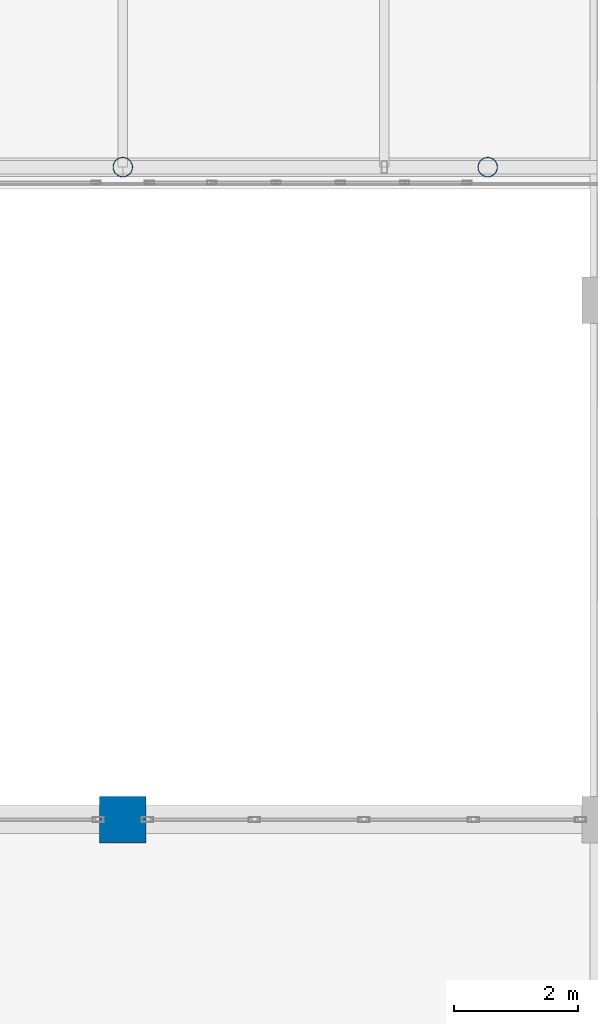
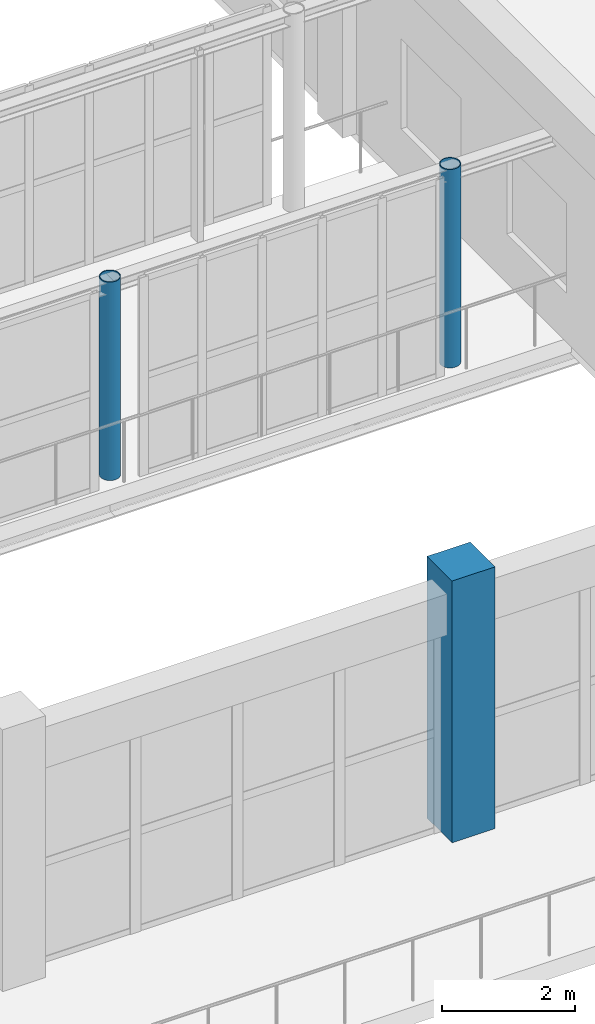
# One storey, part 3 of 175: 3 columns.
"""IFC4 building model written with IfcOpenShell, lengths in metres."""

from ifc_helpers import new_model, si_unit, direction, frame, origin, origin_2d, place, context, subcontext, project, spatial, rectangle, hollow_circle, extrude, material, material_profile, profile_set, type_object, element, save


model = new_model("IFC4")

# Units and contexts
model_context = context("Model", 3, precision=1e-05, world=origin(), true_north=direction((0.0, 1.0)))
body_context = subcontext(model_context, "Body", "Model", "MODEL_VIEW")
ifc_project = project(units=[si_unit("LENGTHUNIT", "METRE"), si_unit("AREAUNIT", "SQUARE_METRE"), si_unit("VOLUMEUNIT", "CUBIC_METRE"), si_unit("PLANEANGLEUNIT", "RADIAN"), si_unit("MASSUNIT", "GRAM", prefix="KILO")], contexts=[model_context])

# Site, building, storey
site_placement = place(None, origin())
site = spatial("IfcSite", under=ifc_project, at=site_placement, CompositionType="ELEMENT")
building_placement = place(site_placement, origin())
building = spatial("IfcBuilding", under=site, at=building_placement, Name="Zizhar Promenade General Hospital", CompositionType="ELEMENT")
storey_placement = place(building_placement, frame((0.0, 0.0, 4.800048828125)))
storey = spatial("IfcBuildingStorey", under=building, at=storey_placement, Name="L01", CompositionType="ELEMENT", Elevation=4.800048828125)

# Columns
ifc_material_1 = material(Name="Concrete C40/50", Category="concrete")
ifc_material_profile_1 = material_profile(ifc_material_1, rectangle(XDim=0.75, YDim=0.75, at=origin_2d()))
ifc_profile_set_1 = profile_set([ifc_material_profile_1], Name="Concrete C40/50")
column_type_1 = type_object("IfcColumnType", Name="COL-RC-750", PredefinedType="COLUMN", material=ifc_profile_set_1)
column_placement = place(storey_placement, frame((117.0, 50.39990234375, 0.0), z_axis=(0.0, 0.0, 1.0), x_axis=(1.0, 0.0, 0.0)))
element("IfcColumn", 1, at=column_placement, inside=storey, type_object=column_type_1, Name="Column 16-G (L01)", PredefinedType="COLUMN", context=body_context, shape_type="SweptSolid", body=[
    extrude(rectangle(XDim=0.75, YDim=0.75, at=origin_2d()), origin(), (0.0, 0.0, 1.0), 4.800048828125),
])
ifc_material_2 = material(Name="Steel S355", Category="steel")
ifc_material_profile_2 = material_profile(ifc_material_2, hollow_circle(Radius=0.161865234375, WallThickness=0.012451171875, at=origin_2d()))
ifc_profile_set_2 = profile_set([ifc_material_profile_2], Name="Steel S355")
column_type_2 = type_object("IfcColumnType", Name="COL-STL-CHS324", PredefinedType="COLUMN", material=ifc_profile_set_2)
for number, where, z_axis, x_axis, name in (
    (2, (117.0, 60.949951171875, 0.0), (0.0, 0.0, 1.0), (1.0, 0.0, 0.0), "SB-1 Courtyard Pier 3S (L01)"),
    (3, (122.89990234375, 60.949951171875, 0.0), (0.0, 0.0, 1.0), (1.0, 0.0, 0.0), "SB-1 Abutment Pier 2S (L01)"),
):
    element("IfcColumn", number, at=place(storey_placement, frame(where, z_axis=z_axis, x_axis=x_axis)), inside=storey, type_object=column_type_2, Name=name, PredefinedType="COLUMN", context=body_context, shape_type="SweptSolid", body=[
        extrude(hollow_circle(Radius=0.161865234375, WallThickness=0.012451171875, at=origin_2d()), origin(), (0.0, 0.0, 1.0), 3.639892578125),
    ])

save(model, "model.ifc")
